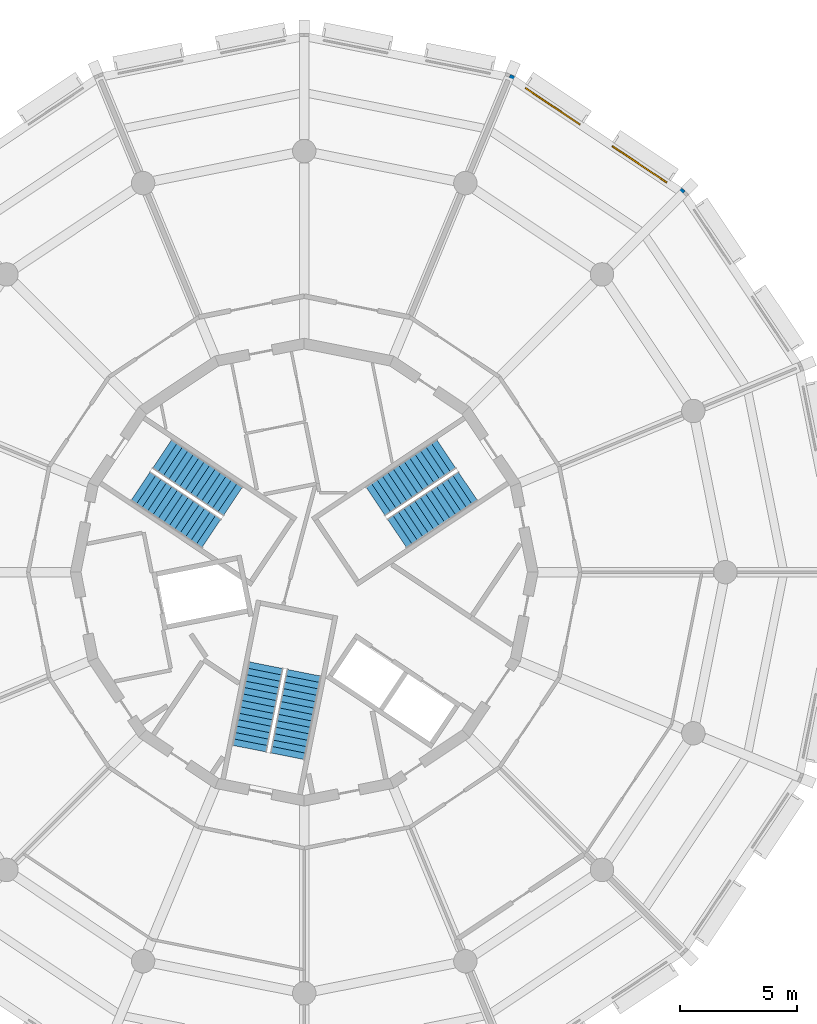
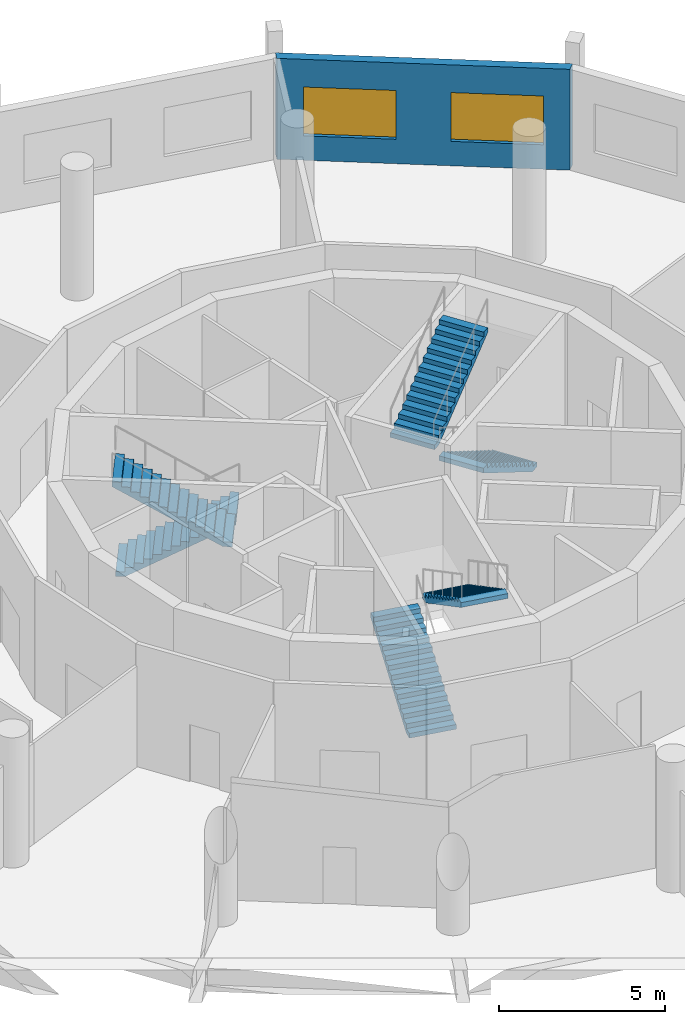
# One storey, part 7 of 8: 6 stair flights, 2 windows, 1 wall, 2 openings, 3 elements without a shape of their own.
"""IFC4 building model written with IfcOpenShell, lengths in metres."""

import ifcopenshell
import ifcopenshell.guid

model = None  # the IFC model being written
_history = None  # IfcOwnerHistory: only IFC2X3 demands one
_inside = {}  # id of a spatial element -> (the spatial element, [elements in it])
_under = {}  # id of a project, library or spatial element -> (it, [spatial elements below it])
_declared = {}  # id of a project -> (the project, [libraries it declares])
_typed = {}  # id of a type object -> (the type object, [elements of that type])
_made_of = {}  # id of a material, layer set ... -> (it, [elements and type objects made of it])


def new_model(schema):
    """Start an empty IFC model of exactly this schema.

    Asked for "IFC4X3", IfcOpenShell would pick the latest addendum, in which some entities
    have other attributes; the version numbers below select the first issue.
    IFC2X3 requires an IfcOwnerHistory on every rooted entity: one is made here for all.
    """
    global model, _history
    if schema == "IFC4X3":
        model = ifcopenshell.file(schema_version=(4, 3, 0, 0))
    else:
        model = ifcopenshell.file(schema=schema)
    _inside.clear()
    _under.clear()
    _declared.clear()
    _typed.clear()
    _made_of.clear()
    _history = None
    if model.schema == "IFC2X3":
        org = make("IfcOrganization", Name="unknown")
        user = make(
            "IfcPersonAndOrganization",
            ThePerson=make("IfcPerson", FamilyName="unknown"),
            TheOrganization=org,
        )
        app = make(
            "IfcApplication",
            ApplicationDeveloper=org,
            Version="unknown",
            ApplicationFullName="unknown",
            ApplicationIdentifier="unknown",
        )
        _history = make(
            "IfcOwnerHistory",
            OwningUser=user,
            OwningApplication=app,
            ChangeAction="ADDED",
            CreationDate=0,
        )
    return model


def make(cls, **values):
    """One entity of the class cls with the attributes given. An attribute that is None is left unset."""
    return model.create_entity(
        cls, **{name: value for name, value in values.items() if value is not None}
    )


def rooted(cls, **values):
    """An entity with a GlobalId (a new one), such as an element, a storey or a relation."""
    return make(cls, GlobalId=ifcopenshell.guid.new(), OwnerHistory=_history, **values)


def si_unit(unit_type, name, prefix=None):
    """IfcSIUnit, for example si_unit("LENGTHUNIT", "METRE", prefix="MILLI")."""
    return make("IfcSIUnit", UnitType=unit_type, Prefix=prefix, Name=name)


def assignment(units):
    """IfcUnitAssignment: the units of a project."""
    return None if units is None else make("IfcUnitAssignment", Units=units)


def point(xyz):
    """IfcCartesianPoint."""
    return None if xyz is None else make("IfcCartesianPoint", Coordinates=xyz)


def direction(xyz):
    """IfcDirection."""
    return None if xyz is None else make("IfcDirection", DirectionRatios=xyz)


def frame(location, z_axis=None, x_axis=None):
    """IfcAxis2Placement3D, a coordinate frame: its origin and axes. An axis left out is left unset."""
    return make(
        "IfcAxis2Placement3D",
        Location=point(location),
        Axis=direction(z_axis),
        RefDirection=direction(x_axis),
    )


def frame_2d(location, x_axis=None):
    """IfcAxis2Placement2D, a coordinate frame in the plane: its origin and x axis."""
    return make(
        "IfcAxis2Placement2D", Location=point(location), RefDirection=direction(x_axis)
    )


def origin():
    """The frame at (0, 0, 0) with its axes left unset."""
    return frame((0.0, 0.0, 0.0))


def place(relative_to, where):
    """IfcLocalPlacement: puts the frame where relative to a parent placement (None: the world)."""
    return make(
        "IfcLocalPlacement", PlacementRelTo=relative_to, RelativePlacement=where
    )


def context(
    kind, dimensions, precision=None, world=None, true_north=None, identifier=None
):
    """IfcGeometricRepresentationContext, for example the 3D "Model" context."""
    return make(
        "IfcGeometricRepresentationContext",
        ContextIdentifier=identifier,
        ContextType=kind,
        CoordinateSpaceDimension=dimensions,
        Precision=precision,
        WorldCoordinateSystem=world,
        TrueNorth=true_north,
    )


def subcontext(parent, identifier, kind, view, scale=None):
    """IfcGeometricRepresentationSubContext, for example "Body" below "Model"."""
    return make(
        "IfcGeometricRepresentationSubContext",
        ContextIdentifier=identifier,
        ContextType=kind,
        ParentContext=parent,
        TargetScale=scale,
        TargetView=view,
    )


def project(units=None, contexts=None):
    """IfcProject with its units and contexts."""
    return rooted(
        "IfcProject",
        Name="project",
        RepresentationContexts=contexts,
        UnitsInContext=assignment(units),
    )


def spatial(cls, under=None, at=None, **own):
    """A site, building, storey or space (cls), placed at a placement, below another one or the project."""
    s = rooted(cls, ObjectPlacement=at, **own)
    if under is not None:
        _under.setdefault(under.id(), (under, []))[1].append(s)
    return s


def polyline(points):
    """IfcPolyline through the points."""
    return make("IfcPolyline", Points=[point(p) for p in points])


def profile(cls, at=None, kind="AREA", **sizes):
    """A parametric profile (cls). Its sizes go by their IFC names, for example OverallWidth=200.0."""
    return make(cls, ProfileType=kind, Position=at, **sizes)


def rectangle(**sizes):
    """IfcRectangleProfileDef."""
    return profile("IfcRectangleProfileDef", **sizes)


def outline(outer, holes=None, kind="AREA"):
    """IfcArbitraryClosedProfileDef: a profile drawn as a closed curve; with holes, ...WithVoids."""
    if holes is None:
        return make("IfcArbitraryClosedProfileDef", ProfileType=kind, OuterCurve=outer)
    return make(
        "IfcArbitraryProfileDefWithVoids",
        ProfileType=kind,
        OuterCurve=outer,
        InnerCurves=holes,
    )


def extrude(swept, where, along, depth):
    """IfcExtrudedAreaSolid: the profile swept, set in the frame where, extruded along a direction by depth."""
    return make(
        "IfcExtrudedAreaSolid",
        SweptArea=swept,
        Position=where,
        ExtrudedDirection=direction(along),
        Depth=depth,
    )


def shape(context_of_items, identifier, shape_type, items):
    """IfcShapeRepresentation: the items that make up one representation, for example the "Body"."""
    return make(
        "IfcShapeRepresentation",
        ContextOfItems=context_of_items,
        RepresentationIdentifier=identifier,
        RepresentationType=shape_type,
        Items=items,
    )


def material(Name=None, Category=None):
    """IfcMaterial."""
    return make("IfcMaterial", Name=Name, Category=Category)


def layer(
    of_material, thickness, ventilated=None, Name=None, Category=None, Priority=None
):
    """IfcMaterialLayer: one layer of a wall or slab, of a material (None: an air gap)."""
    return make(
        "IfcMaterialLayer",
        Material=of_material,
        LayerThickness=thickness,
        IsVentilated=ventilated,
        Name=Name,
        Category=Category,
        Priority=Priority,
    )


def layer_set(layers, Name=None):
    """IfcMaterialLayerSet."""
    return make("IfcMaterialLayerSet", MaterialLayers=layers, LayerSetName=Name)


def made_of(thing, what):
    """Note that an element or type object is made of a material, layer set ...; save() writes the relation."""
    if what is not None:
        _made_of.setdefault(what.id(), (what, []))[1].append(thing)
    return thing


def type_object(cls, material=None, **own):
    """A type object (cls), such as IfcWallType, which elements share."""
    return made_of(rooted(cls, **own), material)


def element(
    cls,
    number,
    at=None,
    inside=None,
    cuts=None,
    type_object=None,
    material=None,
    context=None,
    identifier="Body",
    shape_type=None,
    held_by="IfcProductDefinitionShape",
    body=None,
    shapes=None,
    **own,
):
    """One element of the class cls, such as IfcWall. Its Tag is "e" and its number.

    at: its placement. inside: the storey or other place that contains it. cuts: it is an
    opening in that element (IfcRelVoidsElement). A single representation is given by context,
    identifier, shape_type and body (its items); several are given by shapes. held_by: the class
    of the entity that holds the representations. save() writes the other relations.
    """
    e = rooted(cls, Tag="e%d" % number, ObjectPlacement=at, **own)
    if body is not None:
        shapes = [shape(context, identifier, shape_type, body)]
    if shapes is not None:
        e.Representation = make(held_by, Representations=shapes)
    if inside is not None:
        _inside.setdefault(inside.id(), (inside, []))[1].append(e)
    if cuts is not None:
        rooted(
            "IfcRelVoidsElement", RelatingBuildingElement=cuts, RelatedOpeningElement=e
        )
    if type_object is not None:
        _typed.setdefault(type_object.id(), (type_object, []))[1].append(e)
    return made_of(e, material)


def fill(opening, filler):
    """IfcRelFillsElement: the door or window that sits in an opening."""
    return rooted(
        "IfcRelFillsElement",
        RelatingOpeningElement=opening,
        RelatedBuildingElement=filler,
    )


def aggregate(whole, parts):
    """IfcRelAggregates: a whole, such as a stair, and the parts it consists of."""
    return rooted("IfcRelAggregates", RelatingObject=whole, RelatedObjects=parts)


def save(model, path):
    """Write the relations noted so far, then the file.

    IfcRelAggregates (storeys below a building ...), IfcRelContainedInSpatialStructure (elements
    in a storey), IfcRelDefinesByType, IfcRelAssociatesMaterial and IfcRelDeclares: one each for
    every whole, place, type object, material and project.
    """
    for whole, parts in _under.values():
        aggregate(whole, parts)
    for where, things in _inside.values():
        rooted(
            "IfcRelContainedInSpatialStructure",
            RelatedElements=things,
            RelatingStructure=where,
        )
    for kind, things in _typed.values():
        rooted("IfcRelDefinesByType", RelatedObjects=things, RelatingType=kind)
    for what, things in _made_of.values():
        rooted("IfcRelAssociatesMaterial", RelatedObjects=things, RelatingMaterial=what)
    for by, libraries in _declared.values():
        rooted("IfcRelDeclares", RelatingContext=by, RelatedDefinitions=libraries)
    model.write(path)


model = new_model("IFC4")

# Units and contexts
model_context = context("Model", 3, precision=1e-05, world=origin(), true_north=direction((0.0, 1.0)))
body_context = subcontext(model_context, "Body", "Model", "MODEL_VIEW")
ifc_project = project(units=[si_unit("LENGTHUNIT", "METRE"), si_unit("AREAUNIT", "SQUARE_METRE"), si_unit("VOLUMEUNIT", "CUBIC_METRE"), si_unit("PLANEANGLEUNIT", "RADIAN"), si_unit("MASSUNIT", "GRAM", prefix="KILO")], contexts=[model_context])

# Site, building, storey
site_placement = place(None, origin())
site = spatial("IfcSite", under=ifc_project, at=site_placement, CompositionType="ELEMENT")
building_placement = place(site_placement, origin())
building = spatial("IfcBuilding", under=site, at=building_placement, Name="Ceibo Conservatory and Research Tower", CompositionType="ELEMENT")
storey_placement = place(building_placement, frame((0.0, 0.0, 10.800048828125)))
storey = spatial("IfcBuildingStorey", under=building, at=storey_placement, Name="L02", CompositionType="ELEMENT", Elevation=10.800048828125)

# Wall, openings, windows
ifc_material_1 = material(Name="Ceramic mosaic tessera")
ifc_layer_1 = layer(ifc_material_1, 0.010009765625, Name="Ceramic mosaic")
ifc_material_2 = material(Name="Polymer-modified bedding mortar")
ifc_layer_2 = layer(ifc_material_2, 0.014892578125, Name="Bedding mortar")
ifc_material_3 = material(Name="Mineral wool insulation")
ifc_layer_3 = layer(ifc_material_3, 0.050048828125, Name="Insulation")
ifc_material_4 = material(Name="Concrete C30/37", Category="concrete")
ifc_layer_4 = layer(ifc_material_4, 0.215087890625, Name="Reinforced concrete leaf")
ifc_material_5 = material(Name="Gypsum plaster")
ifc_layer_5 = layer(ifc_material_5, 0.010009765625, Name="Internal plaster")
ifc_layer_set = layer_set([ifc_layer_1, ifc_layer_2, ifc_layer_3, ifc_layer_4, ifc_layer_5], Name="Concrete C30/37")
wall_type = type_object("IfcWallType", Name="Facade panel wall 300", PredefinedType="SOLIDWALL", material=ifc_layer_set)
wall_placement = place(storey_placement, frame((64.192626953125, 136.192626953125, 0.0), z_axis=(0.0, 0.0, 1.0), x_axis=(-0.83146552215, 0.555576354317, 0.0)))
wall = element("IfcWall", 1, at=wall_placement, inside=storey, type_object=wall_type, Name="Facade wall L02 facet 3", PredefinedType="SOLIDWALL", context=body_context, shape_type="SweptSolid", body=[
    extrude(outline(polyline([(-0.02978515625, -0.14990234375), (8.96484375, -0.14990234375), (8.9052734375, 0.14990234375), (0.02978515625, 0.14990234375), (-0.02978515625, -0.14990234375)])), origin(), (0.0, 0.0, 1.0), 3.719970703125),
])
opening_1_placement = place(wall_placement, frame((0.833740234375, 0.0, 0.89990234375)))
opening_1 = element("IfcOpeningElement", 2, at=opening_1_placement, cuts=wall, Name="Opening PW2", PredefinedType="OPENING", context=body_context, shape_type="SweptSolid", body=[
    extrude(rectangle(XDim=2.800048828125, YDim=1.800048828125, at=frame_2d((1.39990234375, 0.89990234375))), frame((0.0, 0.159912109375, 0.0), z_axis=(0.0, -1.0, 0.0), x_axis=(1.0, 0.0, 0.0)), (0.0, 0.0, 1.0), 0.320068359375),
])
opening_2_placement = place(wall_placement, frame((5.301513671875, 0.0, 0.89990234375)))
opening_2 = element("IfcOpeningElement", 3, at=opening_2_placement, cuts=wall, Name="Opening PW2", PredefinedType="OPENING", context=body_context, shape_type="SweptSolid", body=[
    extrude(rectangle(XDim=2.800048828125, YDim=1.800048828125, at=frame_2d((1.39990234375, 0.89990234375))), frame((0.0, 0.159912109375, 0.0), z_axis=(0.0, -1.0, 0.0), x_axis=(1.0, 0.0, 0.0)), (0.0, 0.0, 1.0), 0.320068359375),
])
ifc_material_6 = material(Name="Aluminium frame with double glazing", Category="aluminium")
window_type = type_object("IfcWindowType", Name="Punched window PW1 2800 x 1800", PartitioningType="DOUBLE_PANEL_VERTICAL", PredefinedType="WINDOW", material=ifc_material_6)
window_1_placement = place(opening_1_placement, origin())
window_1 = element("IfcWindow", 4, at=window_1_placement, inside=storey, type_object=window_type, Name="T.L02.F02.WIN.1", OverallHeight=1.800048828125, OverallWidth=2.800048828125, PartitioningType="DOUBLE_PANEL_VERTICAL", PredefinedType="WINDOW", context=body_context, shape_type="SweptSolid", body=[
    extrude(rectangle(XDim=2.800048828125, YDim=1.800048828125, at=frame_2d((1.39990234375, 0.89990234375))), frame((0.0, 0.030029296875, 0.0), z_axis=(0.0, -1.0, 0.0), x_axis=(1.0, 0.0, 0.0)), (0.0, 0.0, 1.0), 0.06005859375),
])
fill(opening_1, window_1)
window_2_placement = place(opening_2_placement, origin())
window_2 = element("IfcWindow", 5, at=window_2_placement, inside=storey, type_object=window_type, Name="T.L02.F02.WIN.2", OverallHeight=1.800048828125, OverallWidth=2.800048828125, PartitioningType="DOUBLE_PANEL_VERTICAL", PredefinedType="WINDOW", context=body_context, shape_type="SweptSolid", body=[
    extrude(rectangle(XDim=2.800048828125, YDim=1.800048828125, at=frame_2d((1.39990234375, 0.89990234375))), frame((0.0, 0.030029296875, 0.0), z_axis=(0.0, -1.0, 0.0), x_axis=(1.0, 0.0, 0.0)), (0.0, 0.0, 1.0), 0.06005859375),
])
fill(opening_2, window_2)

# Stair, stair flights
ifc_material_7 = material(Name="Concrete C35/45", Category="concrete")
stair_type = type_object("IfcStairType", Name="Escape stair 171 x 280", PredefinedType="HALF_TURN_STAIR", material=ifc_material_7)
stair_1_placement = place(storey_placement, origin())
stair_1 = element("IfcStair", 6, at=stair_1_placement, inside=storey, type_object=stair_type, Name="Escape stair ST1 02", PredefinedType="HALF_TURN_STAIR")
stair_flight_type = type_object("IfcStairFlightType", Name="Escape stair flight 171", PredefinedType="STRAIGHT", material=ifc_material_7)
stair_flight_1_placement = place(storey_placement, frame((54.991943359375, 123.6796875, 0.0), z_axis=(0.0, 0.0, 1.0), x_axis=(-0.831469612303, -0.55557023302, 0.0)))
stair_flight_1 = element("IfcStairFlight", 7, at=stair_flight_1_placement, type_object=stair_flight_type, Name="ST1 flight 1", NumberOfRisers=14, NumberOfTreads=13, PredefinedType="STRAIGHT", RiserHeight=0.171428571, TreadLength=0.28, context=body_context, shape_type="SweptSolid", body=[
    extrude(outline(polyline([(0.0, 0.0), (0.0, 0.17138671875), (0.280029296875, 0.17138671875), (0.280029296875, 0.3427734375), (0.56005859375, 0.3427734375), (0.56005859375, 0.514404296875), (0.840087890625, 0.514404296875), (0.840087890625, 0.685791015625), (1.1201171875, 0.685791015625), (1.1201171875, 0.857177734375), (1.39990234375, 0.857177734375), (1.39990234375, 1.028564453125), (1.679931640625, 1.028564453125), (1.679931640625, 1.199951171875), (1.9599609375, 1.199951171875), (1.9599609375, 1.371337890625), (2.239990234375, 1.371337890625), (2.239990234375, 1.54296875), (2.52001953125, 1.54296875), (2.52001953125, 1.71435546875), (2.800048828125, 1.71435546875), (2.800048828125, 1.8857421875), (3.080078125, 1.8857421875), (3.080078125, 2.05712890625), (3.360107421875, 2.05712890625), (3.360107421875, 2.228515625), (3.639892578125, 2.228515625), (3.639892578125, 2.39990234375), (3.639892578125, 2.052734375), (0.287109375, 0.0), (0.0, 0.0)])), frame((0.0, 0.75, 0.0), z_axis=(0.0, -1.0, 0.0), x_axis=(1.0, 0.0, 0.0)), (0.0, 0.0, 1.0), 1.5),
])
stair_flight_2_placement = place(storey_placement, frame((51.048583984375, 123.029296875, 2.39990234375), z_axis=(0.0, 0.0, 1.0), x_axis=(0.831469612303, 0.55557023302, 0.0)))
stair_flight_2 = element("IfcStairFlight", 8, at=stair_flight_2_placement, type_object=stair_flight_type, Name="ST1 flight 2", NumberOfRisers=14, NumberOfTreads=13, PredefinedType="STRAIGHT", RiserHeight=0.171428571, TreadLength=0.28, context=body_context, shape_type="SweptSolid", body=[
    extrude(outline(polyline([(0.0, 0.0), (0.0, 0.17138671875), (0.280029296875, 0.17138671875), (0.280029296875, 0.3427734375), (0.56005859375, 0.3427734375), (0.56005859375, 0.514404296875), (0.840087890625, 0.514404296875), (0.840087890625, 0.685791015625), (1.1201171875, 0.685791015625), (1.1201171875, 0.857177734375), (1.39990234375, 0.857177734375), (1.39990234375, 1.028564453125), (1.679931640625, 1.028564453125), (1.679931640625, 1.199951171875), (1.9599609375, 1.199951171875), (1.9599609375, 1.371337890625), (2.239990234375, 1.371337890625), (2.239990234375, 1.54296875), (2.52001953125, 1.54296875), (2.52001953125, 1.71435546875), (2.800048828125, 1.71435546875), (2.800048828125, 1.8857421875), (3.080078125, 1.8857421875), (3.080078125, 2.05712890625), (3.360107421875, 2.05712890625), (3.360107421875, 2.228515625), (3.639892578125, 2.228515625), (3.639892578125, 2.39990234375), (3.639892578125, 2.052734375), (0.287109375, 0.0), (0.0, 0.0)])), frame((0.0, 0.75, 0.0), z_axis=(0.0, -1.0, 0.0), x_axis=(1.0, 0.0, 0.0)), (0.0, 0.0, 1.0), 1.5),
])
aggregate(stair_1, [stair_flight_1, stair_flight_2])

stair_2_placement = place(storey_placement, origin())
stair_2 = element("IfcStair", 9, at=stair_2_placement, inside=storey, type_object=stair_type, Name="Escape stair ST2 02", PredefinedType="HALF_TURN_STAIR")
stair_flight_3_placement = place(storey_placement, frame((41.9248046875, 125.051513671875, 0.0), z_axis=(0.0, 0.0, 1.0), x_axis=(0.831469612303, -0.55557023302, 0.0)))
stair_flight_3 = element("IfcStairFlight", 10, at=stair_flight_3_placement, type_object=stair_flight_type, Name="ST2 flight 1", NumberOfRisers=14, NumberOfTreads=13, PredefinedType="STRAIGHT", RiserHeight=0.171428571, TreadLength=0.28, context=body_context, shape_type="SweptSolid", body=[
    extrude(outline(polyline([(0.0, 0.0), (0.0, 0.17138671875), (0.280029296875, 0.17138671875), (0.280029296875, 0.3427734375), (0.56005859375, 0.3427734375), (0.56005859375, 0.514404296875), (0.840087890625, 0.514404296875), (0.840087890625, 0.685791015625), (1.1201171875, 0.685791015625), (1.1201171875, 0.857177734375), (1.39990234375, 0.857177734375), (1.39990234375, 1.028564453125), (1.679931640625, 1.028564453125), (1.679931640625, 1.199951171875), (1.9599609375, 1.199951171875), (1.9599609375, 1.371337890625), (2.239990234375, 1.371337890625), (2.239990234375, 1.54296875), (2.52001953125, 1.54296875), (2.52001953125, 1.71435546875), (2.800048828125, 1.71435546875), (2.800048828125, 1.8857421875), (3.080078125, 1.8857421875), (3.080078125, 2.05712890625), (3.360107421875, 2.05712890625), (3.360107421875, 2.228515625), (3.639892578125, 2.228515625), (3.639892578125, 2.39990234375), (3.639892578125, 2.052734375), (0.287109375, 0.0), (0.0, 0.0)])), frame((0.0, 0.75, 0.0), z_axis=(0.0, -1.0, 0.0), x_axis=(1.0, 0.0, 0.0)), (0.0, 0.0, 1.0), 1.5),
])
stair_flight_4_placement = place(storey_placement, frame((44.03466796875, 121.657470703125, 2.39990234375), z_axis=(0.0, 0.0, 1.0), x_axis=(-0.831469612303, 0.55557023302, 0.0)))
stair_flight_4 = element("IfcStairFlight", 11, at=stair_flight_4_placement, type_object=stair_flight_type, Name="ST2 flight 2", NumberOfRisers=14, NumberOfTreads=13, PredefinedType="STRAIGHT", RiserHeight=0.171428571, TreadLength=0.28, context=body_context, shape_type="SweptSolid", body=[
    extrude(outline(polyline([(0.0, 0.0), (0.0, 0.17138671875), (0.280029296875, 0.17138671875), (0.280029296875, 0.3427734375), (0.56005859375, 0.3427734375), (0.56005859375, 0.514404296875), (0.840087890625, 0.514404296875), (0.840087890625, 0.685791015625), (1.1201171875, 0.685791015625), (1.1201171875, 0.857177734375), (1.39990234375, 0.857177734375), (1.39990234375, 1.028564453125), (1.679931640625, 1.028564453125), (1.679931640625, 1.199951171875), (1.9599609375, 1.199951171875), (1.9599609375, 1.371337890625), (2.239990234375, 1.371337890625), (2.239990234375, 1.54296875), (2.52001953125, 1.54296875), (2.52001953125, 1.71435546875), (2.800048828125, 1.71435546875), (2.800048828125, 1.8857421875), (3.080078125, 1.8857421875), (3.080078125, 2.05712890625), (3.360107421875, 2.05712890625), (3.360107421875, 2.228515625), (3.639892578125, 2.228515625), (3.639892578125, 2.39990234375), (3.639892578125, 2.052734375), (0.287109375, 0.0), (0.0, 0.0)])), frame((0.0, 0.75, 0.0), z_axis=(0.0, -1.0, 0.0), x_axis=(1.0, 0.0, 0.0)), (0.0, 0.0, 1.0), 1.5),
])
aggregate(stair_2, [stair_flight_3, stair_flight_4])

stair_3_placement = place(storey_placement, origin())
stair_3 = element("IfcStair", 12, at=stair_3_placement, inside=storey, type_object=stair_type, Name="Escape stair ST3 02", PredefinedType="HALF_TURN_STAIR")
stair_flight_5_placement = place(storey_placement, frame((45.657958984375, 112.4541015625, 0.0), z_axis=(0.0, 0.0, 1.0), x_axis=(0.195090322016, 0.980785280403, 0.0)))
stair_flight_5 = element("IfcStairFlight", 13, at=stair_flight_5_placement, type_object=stair_flight_type, Name="ST3 flight 1", NumberOfRisers=14, NumberOfTreads=13, PredefinedType="STRAIGHT", RiserHeight=0.171428571, TreadLength=0.28, context=body_context, shape_type="SweptSolid", body=[
    extrude(outline(polyline([(0.0, 0.0), (0.0, 0.17138671875), (0.280029296875, 0.17138671875), (0.280029296875, 0.3427734375), (0.56005859375, 0.3427734375), (0.56005859375, 0.514404296875), (0.840087890625, 0.514404296875), (0.840087890625, 0.685791015625), (1.1201171875, 0.685791015625), (1.1201171875, 0.857177734375), (1.39990234375, 0.857177734375), (1.39990234375, 1.028564453125), (1.679931640625, 1.028564453125), (1.679931640625, 1.199951171875), (1.9599609375, 1.199951171875), (1.9599609375, 1.371337890625), (2.239990234375, 1.371337890625), (2.239990234375, 1.54296875), (2.52001953125, 1.54296875), (2.52001953125, 1.71435546875), (2.800048828125, 1.71435546875), (2.800048828125, 1.8857421875), (3.080078125, 1.8857421875), (3.080078125, 2.05712890625), (3.360107421875, 2.05712890625), (3.360107421875, 2.228515625), (3.639892578125, 2.228515625), (3.639892578125, 2.39990234375), (3.639892578125, 2.052734375), (0.287109375, 0.0), (0.0, 0.0)])), frame((0.0, 0.75, 0.0), z_axis=(0.0, -1.0, 0.0), x_axis=(1.0, 0.0, 0.0)), (0.0, 0.0, 1.0), 1.5),
])
stair_flight_6_placement = place(storey_placement, frame((47.986328125, 115.7021484375, 2.39990234375), z_axis=(0.0, 0.0, 1.0), x_axis=(-0.195090322016, -0.980785280403, 0.0)))
stair_flight_6 = element("IfcStairFlight", 14, at=stair_flight_6_placement, type_object=stair_flight_type, Name="ST3 flight 2", NumberOfRisers=14, NumberOfTreads=13, PredefinedType="STRAIGHT", RiserHeight=0.171428571, TreadLength=0.28, context=body_context, shape_type="SweptSolid", body=[
    extrude(outline(polyline([(0.0, 0.0), (0.0, 0.17138671875), (0.280029296875, 0.17138671875), (0.280029296875, 0.3427734375), (0.56005859375, 0.3427734375), (0.56005859375, 0.514404296875), (0.840087890625, 0.514404296875), (0.840087890625, 0.685791015625), (1.1201171875, 0.685791015625), (1.1201171875, 0.857177734375), (1.39990234375, 0.857177734375), (1.39990234375, 1.028564453125), (1.679931640625, 1.028564453125), (1.679931640625, 1.199951171875), (1.9599609375, 1.199951171875), (1.9599609375, 1.371337890625), (2.239990234375, 1.371337890625), (2.239990234375, 1.54296875), (2.52001953125, 1.54296875), (2.52001953125, 1.71435546875), (2.800048828125, 1.71435546875), (2.800048828125, 1.8857421875), (3.080078125, 1.8857421875), (3.080078125, 2.05712890625), (3.360107421875, 2.05712890625), (3.360107421875, 2.228515625), (3.639892578125, 2.228515625), (3.639892578125, 2.39990234375), (3.639892578125, 2.052734375), (0.287109375, 0.0), (0.0, 0.0)])), frame((0.0, 0.75, 0.0), z_axis=(0.0, -1.0, 0.0), x_axis=(1.0, 0.0, 0.0)), (0.0, 0.0, 1.0), 1.5),
])
aggregate(stair_3, [stair_flight_5, stair_flight_6])

save(model, "model.ifc")
